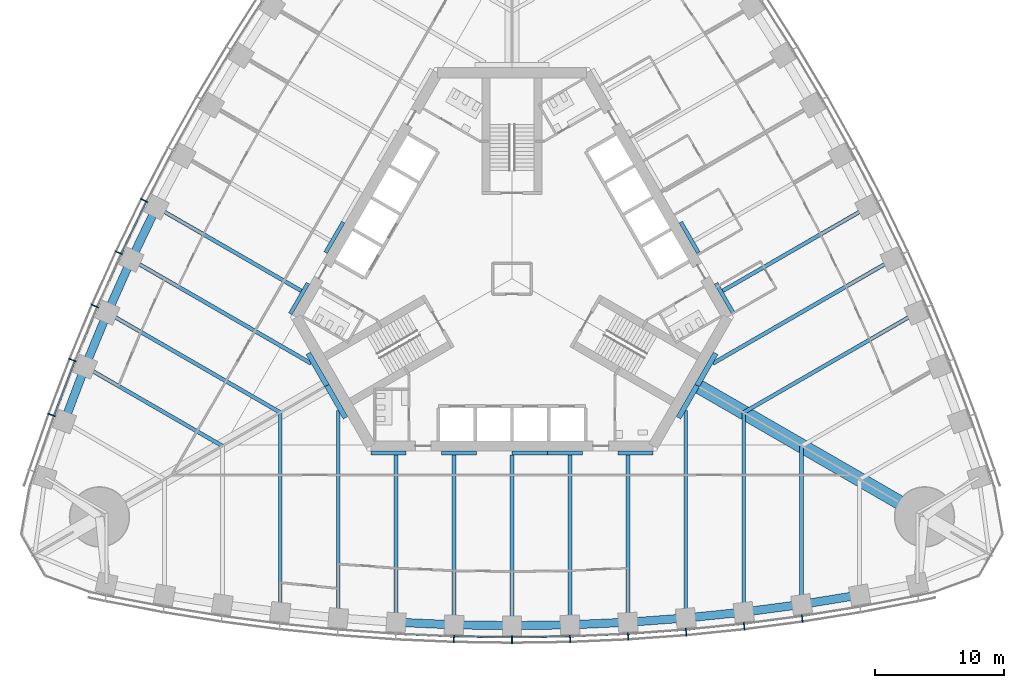
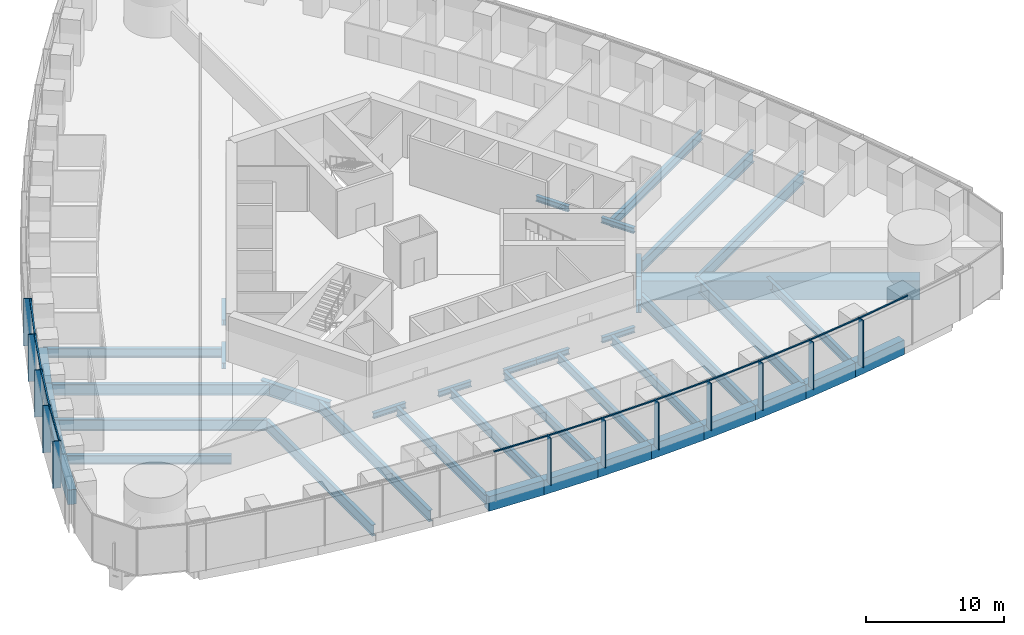
# One storey, part 3 of 18: 43 beams, 24 members, 2 elements without a shape of their own.
"""IFC4 building model written with IfcOpenShell, lengths in metres."""

import ifcopenshell
import ifcopenshell.guid

model = None  # the IFC model being written
_history = None  # IfcOwnerHistory: only IFC2X3 demands one
_inside = {}  # id of a spatial element -> (the spatial element, [elements in it])
_under = {}  # id of a project, library or spatial element -> (it, [spatial elements below it])
_declared = {}  # id of a project -> (the project, [libraries it declares])
_typed = {}  # id of a type object -> (the type object, [elements of that type])
_made_of = {}  # id of a material, layer set ... -> (it, [elements and type objects made of it])


def new_model(schema):
    """Start an empty IFC model of exactly this schema.

    Asked for "IFC4X3", IfcOpenShell would pick the latest addendum, in which some entities
    have other attributes; the version numbers below select the first issue.
    IFC2X3 requires an IfcOwnerHistory on every rooted entity: one is made here for all.
    """
    global model, _history
    if schema == "IFC4X3":
        model = ifcopenshell.file(schema_version=(4, 3, 0, 0))
    else:
        model = ifcopenshell.file(schema=schema)
    _inside.clear()
    _under.clear()
    _declared.clear()
    _typed.clear()
    _made_of.clear()
    _history = None
    if model.schema == "IFC2X3":
        org = make("IfcOrganization", Name="unknown")
        user = make(
            "IfcPersonAndOrganization",
            ThePerson=make("IfcPerson", FamilyName="unknown"),
            TheOrganization=org,
        )
        app = make(
            "IfcApplication",
            ApplicationDeveloper=org,
            Version="unknown",
            ApplicationFullName="unknown",
            ApplicationIdentifier="unknown",
        )
        _history = make(
            "IfcOwnerHistory",
            OwningUser=user,
            OwningApplication=app,
            ChangeAction="ADDED",
            CreationDate=0,
        )
    return model


def make(cls, **values):
    """One entity of the class cls with the attributes given. An attribute that is None is left unset."""
    return model.create_entity(
        cls, **{name: value for name, value in values.items() if value is not None}
    )


def rooted(cls, **values):
    """An entity with a GlobalId (a new one), such as an element, a storey or a relation."""
    return make(cls, GlobalId=ifcopenshell.guid.new(), OwnerHistory=_history, **values)


def si_unit(unit_type, name, prefix=None):
    """IfcSIUnit, for example si_unit("LENGTHUNIT", "METRE", prefix="MILLI")."""
    return make("IfcSIUnit", UnitType=unit_type, Prefix=prefix, Name=name)


def assignment(units):
    """IfcUnitAssignment: the units of a project."""
    return None if units is None else make("IfcUnitAssignment", Units=units)


def point(xyz):
    """IfcCartesianPoint."""
    return None if xyz is None else make("IfcCartesianPoint", Coordinates=xyz)


def direction(xyz):
    """IfcDirection."""
    return None if xyz is None else make("IfcDirection", DirectionRatios=xyz)


def frame(location, z_axis=None, x_axis=None):
    """IfcAxis2Placement3D, a coordinate frame: its origin and axes. An axis left out is left unset."""
    return make(
        "IfcAxis2Placement3D",
        Location=point(location),
        Axis=direction(z_axis),
        RefDirection=direction(x_axis),
    )


def frame_2d(location, x_axis=None):
    """IfcAxis2Placement2D, a coordinate frame in the plane: its origin and x axis."""
    return make(
        "IfcAxis2Placement2D", Location=point(location), RefDirection=direction(x_axis)
    )


def origin():
    """The frame at (0, 0, 0) with its axes left unset."""
    return frame((0.0, 0.0, 0.0))


def origin_2d():
    """The frame at (0, 0) in the plane with its x axis left unset."""
    return frame_2d((0.0, 0.0))


def place(relative_to, where):
    """IfcLocalPlacement: puts the frame where relative to a parent placement (None: the world)."""
    return make(
        "IfcLocalPlacement", PlacementRelTo=relative_to, RelativePlacement=where
    )


def context(
    kind, dimensions, precision=None, world=None, true_north=None, identifier=None
):
    """IfcGeometricRepresentationContext, for example the 3D "Model" context."""
    return make(
        "IfcGeometricRepresentationContext",
        ContextIdentifier=identifier,
        ContextType=kind,
        CoordinateSpaceDimension=dimensions,
        Precision=precision,
        WorldCoordinateSystem=world,
        TrueNorth=true_north,
    )


def subcontext(parent, identifier, kind, view, scale=None):
    """IfcGeometricRepresentationSubContext, for example "Body" below "Model"."""
    return make(
        "IfcGeometricRepresentationSubContext",
        ContextIdentifier=identifier,
        ContextType=kind,
        ParentContext=parent,
        TargetScale=scale,
        TargetView=view,
    )


def project(units=None, contexts=None):
    """IfcProject with its units and contexts."""
    return rooted(
        "IfcProject",
        Name="project",
        RepresentationContexts=contexts,
        UnitsInContext=assignment(units),
    )


def spatial(cls, under=None, at=None, **own):
    """A site, building, storey or space (cls), placed at a placement, below another one or the project."""
    s = rooted(cls, ObjectPlacement=at, **own)
    if under is not None:
        _under.setdefault(under.id(), (under, []))[1].append(s)
    return s


def profile(cls, at=None, kind="AREA", **sizes):
    """A parametric profile (cls). Its sizes go by their IFC names, for example OverallWidth=200.0."""
    return make(cls, ProfileType=kind, Position=at, **sizes)


def rectangle(**sizes):
    """IfcRectangleProfileDef."""
    return profile("IfcRectangleProfileDef", **sizes)


def i_section(**sizes):
    """IfcIShapeProfileDef."""
    return profile("IfcIShapeProfileDef", **sizes)


def extrude(swept, where, along, depth):
    """IfcExtrudedAreaSolid: the profile swept, set in the frame where, extruded along a direction by depth."""
    return make(
        "IfcExtrudedAreaSolid",
        SweptArea=swept,
        Position=where,
        ExtrudedDirection=direction(along),
        Depth=depth,
    )


def shape(context_of_items, identifier, shape_type, items):
    """IfcShapeRepresentation: the items that make up one representation, for example the "Body"."""
    return make(
        "IfcShapeRepresentation",
        ContextOfItems=context_of_items,
        RepresentationIdentifier=identifier,
        RepresentationType=shape_type,
        Items=items,
    )


def material(Name=None, Category=None):
    """IfcMaterial."""
    return make("IfcMaterial", Name=Name, Category=Category)


def material_profile(
    of_material, cross_section, Name=None, Category=None, Priority=None
):
    """IfcMaterialProfile: a cross section and its material."""
    return make(
        "IfcMaterialProfile",
        Name=Name,
        Material=of_material,
        Profile=cross_section,
        Priority=Priority,
        Category=Category,
    )


def profile_set(profiles, Name=None, composite=None):
    """IfcMaterialProfileSet."""
    return make(
        "IfcMaterialProfileSet",
        Name=Name,
        MaterialProfiles=profiles,
        CompositeProfile=composite,
    )


def made_of(thing, what):
    """Note that an element or type object is made of a material, layer set ...; save() writes the relation."""
    if what is not None:
        _made_of.setdefault(what.id(), (what, []))[1].append(thing)
    return thing


def type_object(cls, material=None, **own):
    """A type object (cls), such as IfcWallType, which elements share."""
    return made_of(rooted(cls, **own), material)


def element(
    cls,
    number,
    at=None,
    inside=None,
    cuts=None,
    type_object=None,
    material=None,
    context=None,
    identifier="Body",
    shape_type=None,
    held_by="IfcProductDefinitionShape",
    body=None,
    shapes=None,
    **own,
):
    """One element of the class cls, such as IfcWall. Its Tag is "e" and its number.

    at: its placement. inside: the storey or other place that contains it. cuts: it is an
    opening in that element (IfcRelVoidsElement). A single representation is given by context,
    identifier, shape_type and body (its items); several are given by shapes. held_by: the class
    of the entity that holds the representations. save() writes the other relations.
    """
    e = rooted(cls, Tag="e%d" % number, ObjectPlacement=at, **own)
    if body is not None:
        shapes = [shape(context, identifier, shape_type, body)]
    if shapes is not None:
        e.Representation = make(held_by, Representations=shapes)
    if inside is not None:
        _inside.setdefault(inside.id(), (inside, []))[1].append(e)
    if cuts is not None:
        rooted(
            "IfcRelVoidsElement", RelatingBuildingElement=cuts, RelatedOpeningElement=e
        )
    if type_object is not None:
        _typed.setdefault(type_object.id(), (type_object, []))[1].append(e)
    return made_of(e, material)


def aggregate(whole, parts):
    """IfcRelAggregates: a whole, such as a stair, and the parts it consists of."""
    return rooted("IfcRelAggregates", RelatingObject=whole, RelatedObjects=parts)


def save(model, path):
    """Write the relations noted so far, then the file.

    IfcRelAggregates (storeys below a building ...), IfcRelContainedInSpatialStructure (elements
    in a storey), IfcRelDefinesByType, IfcRelAssociatesMaterial and IfcRelDeclares: one each for
    every whole, place, type object, material and project.
    """
    for whole, parts in _under.values():
        aggregate(whole, parts)
    for where, things in _inside.values():
        rooted(
            "IfcRelContainedInSpatialStructure",
            RelatedElements=things,
            RelatingStructure=where,
        )
    for kind, things in _typed.values():
        rooted("IfcRelDefinesByType", RelatedObjects=things, RelatingType=kind)
    for what, things in _made_of.values():
        rooted("IfcRelAssociatesMaterial", RelatedObjects=things, RelatingMaterial=what)
    for by, libraries in _declared.values():
        rooted("IfcRelDeclares", RelatingContext=by, RelatedDefinitions=libraries)
    model.write(path)


model = new_model("IFC4")

# Units and contexts
model_context = context("Model", 3, precision=1e-05, world=origin(), true_north=direction((0.0, 1.0)))
body_context = subcontext(model_context, "Body", "Model", "MODEL_VIEW")
ifc_project = project(units=[si_unit("LENGTHUNIT", "METRE"), si_unit("AREAUNIT", "SQUARE_METRE"), si_unit("VOLUMEUNIT", "CUBIC_METRE"), si_unit("PLANEANGLEUNIT", "RADIAN"), si_unit("MASSUNIT", "GRAM", prefix="KILO")], contexts=[model_context])

# Site, building, storey
site_placement = place(None, origin())
site = spatial("IfcSite", under=ifc_project, at=site_placement, CompositionType="ELEMENT")
building_placement = place(site_placement, origin())
building = spatial("IfcBuilding", under=site, at=building_placement, Name="Trefoil Bronze Tower", CompositionType="ELEMENT")
storey_placement = place(building_placement, frame((0.0, 0.0, 54.300048828125)))
storey = spatial("IfcBuildingStorey", under=building, at=storey_placement, Name="L12", CompositionType="ELEMENT", Elevation=54.300048828125)

# Curtain wall, members
ifc_material_1 = material(Name="Tinted solar-control glass", Category="glass")
curtain_wall_type = type_object("IfcCurtainWallType", Name="Bronze office curtain wall", PredefinedType="USERDEFINED", material=ifc_material_1)
curtain_wall_1_placement = place(storey_placement, origin())
curtain_wall_1 = element("IfcCurtainWall", 1, at=curtain_wall_1_placement, inside=storey, type_object=curtain_wall_type, Name="CW-A L12 F1", ObjectType="CURTAIN WALL", PredefinedType="USERDEFINED")
ifc_material_2 = material(Name="Bronze-finish aluminium", Category="aluminium")
ifc_material_profile_1 = material_profile(ifc_material_2, rectangle(XDim=0.60009765625, YDim=0.080078125, at=origin_2d()), Name="CW-A mullion")
ifc_profile_set_1 = profile_set([ifc_material_profile_1], Name="Bronze-finish aluminium")
member_type_1 = type_object("IfcMemberType", Name="Bronze office curtain wall mullion", PredefinedType="MULLION", material=ifc_profile_set_1)
member_1_placement = place(storey_placement, frame((-4.5087890625, -27.9833984375, 0.0), z_axis=(0.0, 0.0, 1.0), x_axis=(0.029021671584, 0.999578782577, 0.0)))
member_1 = element("IfcMember", 2, at=member_1_placement, type_object=member_type_1, Name="CW-A L12 F1 mullion 8", PredefinedType="MULLION", context=body_context, shape_type="SweptSolid", body=[
    extrude(rectangle(XDim=0.60009765625, YDim=0.080078125, at=origin_2d()), origin(), (0.0, 0.0, 1.0), 4.179931640625),
])
member_2_placement = place(storey_placement, frame((0.0, -28.048828125, 0.0), z_axis=(0.0, 0.0, 1.0), x_axis=(0.0, 1.0, 0.0)))
member_2 = element("IfcMember", 3, at=member_2_placement, type_object=member_type_1, Name="CW-A L12 F1 mullion 9", PredefinedType="MULLION", context=body_context, shape_type="SweptSolid", body=[
    extrude(rectangle(XDim=0.60009765625, YDim=0.080078125, at=origin_2d()), origin(), (0.0, 0.0, 1.0), 4.179931640625),
])
member_3_placement = place(storey_placement, frame((4.5087890625, -27.9833984375, 0.0), z_axis=(0.0, 0.0, 1.0), x_axis=(-0.029021671584, 0.999578782577, 0.0)))
member_3 = element("IfcMember", 4, at=member_3_placement, type_object=member_type_1, Name="CW-A L12 F1 mullion 10", PredefinedType="MULLION", context=body_context, shape_type="SweptSolid", body=[
    extrude(rectangle(XDim=0.60009765625, YDim=0.080078125, at=origin_2d()), origin(), (0.0, 0.0, 1.0), 4.179931640625),
])
member_4_placement = place(storey_placement, frame((9.017333984375, -27.786865234375, 0.0), z_axis=(0.0, 0.0, 1.0), x_axis=(-0.058043374207, 0.998314062162, 0.0)))
member_4 = element("IfcMember", 5, at=member_4_placement, type_object=member_type_1, Name="CW-A L12 F1 mullion 11", PredefinedType="MULLION", context=body_context, shape_type="SweptSolid", body=[
    extrude(rectangle(XDim=0.60009765625, YDim=0.080078125, at=origin_2d()), origin(), (0.0, 0.0, 1.0), 4.179931640625),
])
member_5_placement = place(storey_placement, frame((13.526123046875, -27.458984375, 0.0), z_axis=(0.0, 0.0, 1.0), x_axis=(-0.087065139456, 0.996202620701, 0.0)))
member_5 = element("IfcMember", 6, at=member_5_placement, type_object=member_type_1, Name="CW-A L12 F1 mullion 12", PredefinedType="MULLION", context=body_context, shape_type="SweptSolid", body=[
    extrude(rectangle(XDim=0.60009765625, YDim=0.080078125, at=origin_2d()), origin(), (0.0, 0.0, 1.0), 4.179931640625),
])
member_6_placement = place(storey_placement, frame((18.034912109375, -26.99853515625, 0.0), z_axis=(0.0, 0.0, 1.0), x_axis=(-0.116086999973, 0.993239048989, 0.0)))
member_6 = element("IfcMember", 7, at=member_6_placement, type_object=member_type_1, Name="CW-A L12 F1 mullion 13", PredefinedType="MULLION", context=body_context, shape_type="SweptSolid", body=[
    extrude(rectangle(XDim=0.60009765625, YDim=0.080078125, at=origin_2d()), origin(), (0.0, 0.0, 1.0), 4.179931640625),
])
member_7_placement = place(storey_placement, frame((22.54345703125, -26.40478515625, 0.0), z_axis=(0.0, 0.0, 1.0), x_axis=(-0.145108990094, 0.989415676546, 0.0)))
member_7 = element("IfcMember", 8, at=member_7_placement, type_object=member_type_1, Name="CW-A L12 F1 mullion 14", PredefinedType="MULLION", context=body_context, shape_type="SweptSolid", body=[
    extrude(rectangle(XDim=0.60009765625, YDim=0.080078125, at=origin_2d()), origin(), (0.0, 0.0, 1.0), 4.179931640625),
])

curtain_wall_2_placement = place(storey_placement, origin())
curtain_wall_2 = element("IfcCurtainWall", 9, at=curtain_wall_2_placement, inside=storey, type_object=curtain_wall_type, Name="CW-A L12 F3", ObjectType="CURTAIN WALL", PredefinedType="USERDEFINED")
member_8_placement = place(storey_placement, frame((-28.57275390625, 6.084228515625, 0.0), z_axis=(0.0, 0.0, 1.0), x_axis=(0.893587025891, -0.448889994497, 0.0)))
member_8 = element("IfcMember", 10, at=member_8_placement, type_object=member_type_1, Name="CW-A L12 F3 mullion 11", PredefinedType="MULLION", context=body_context, shape_type="SweptSolid", body=[
    extrude(rectangle(XDim=0.60009765625, YDim=0.080078125, at=origin_2d()), origin(), (0.0, 0.0, 1.0), 4.179931640625),
])
member_9_placement = place(storey_placement, frame((-30.543212890625, 2.015380859375, 0.0), z_axis=(0.0, 0.0, 1.0), x_axis=(0.906269346572, -0.422700687798, 0.0)))
member_9 = element("IfcMember", 11, at=member_9_placement, type_object=member_type_1, Name="CW-A L12 F3 mullion 12", PredefinedType="MULLION", context=body_context, shape_type="SweptSolid", body=[
    extrude(rectangle(XDim=0.60009765625, YDim=0.080078125, at=origin_2d()), origin(), (0.0, 0.0, 1.0), 4.179931640625),
])
member_10_placement = place(storey_placement, frame((-32.39892578125, -2.119384765625, 0.0), z_axis=(0.0, 0.0, 1.0), x_axis=(0.918213748442, -0.396085233469, 0.0)))
member_10 = element("IfcMember", 12, at=member_10_placement, type_object=member_type_1, Name="CW-A L12 F3 mullion 13", PredefinedType="MULLION", context=body_context, shape_type="SweptSolid", body=[
    extrude(rectangle(XDim=0.60009765625, YDim=0.080078125, at=origin_2d()), origin(), (0.0, 0.0, 1.0), 4.179931640625),
])
member_11_placement = place(storey_placement, frame((-34.138916015625, -6.32080078125, 0.0), z_axis=(0.0, 0.0, 1.0), x_axis=(0.929413605838, -0.369039766534, 0.0)))
member_11 = element("IfcMember", 13, at=member_11_placement, type_object=member_type_1, Name="CW-A L12 F3 mullion 14", PredefinedType="MULLION", context=body_context, shape_type="SweptSolid", body=[
    extrude(rectangle(XDim=0.60009765625, YDim=0.080078125, at=origin_2d()), origin(), (0.0, 0.0, 1.0), 4.179931640625),
])
member_12_placement = place(storey_placement, frame((-35.761962890625, -10.590087890625, 0.0), z_axis=(0.0, 0.0, 1.0), x_axis=(0.939860248316, -0.341559238839, 0.0)))
member_12 = element("IfcMember", 14, at=member_12_placement, type_object=member_type_1, Name="CW-A L12 F3 mullion 15", PredefinedType="MULLION", context=body_context, shape_type="SweptSolid", body=[
    extrude(rectangle(XDim=0.60009765625, YDim=0.080078125, at=origin_2d()), origin(), (0.0, 0.0, 1.0), 4.179931640625),
])

# Member
ifc_material_3 = material(Name="Bronze-finish aluminium", Category="aluminium")
ifc_material_profile_2 = material_profile(ifc_material_3, rectangle(XDim=0.1201171875, YDim=0.10009765625, at=origin_2d()), Name="CW-A transom")
ifc_profile_set_2 = profile_set([ifc_material_profile_2], Name="Bronze-finish aluminium")
member_type_2 = type_object("IfcMemberType", Name="Bronze office curtain wall transom", PredefinedType="USERDEFINED", material=ifc_profile_set_2)
member_13_placement = place(storey_placement, frame((-8.96435546875, -27.589111328125, 4.1298828125), z_axis=(0.999054074786, -0.043485119914, 0.0), x_axis=(0.043485119914, 0.999054074786, 0.0)))
member_13 = element("IfcMember", 15, at=member_13_placement, type_object=member_type_2, Name="CW-A L12 F1 transom 7", ObjectType="TRANSOM", PredefinedType="USERDEFINED", context=body_context, shape_type="SweptSolid", body=[
    extrude(rectangle(XDim=0.1201171875, YDim=0.10009765625, at=origin_2d()), origin(), (0.0, 0.0, 1.0), 4.424072265625),
])

member_14_placement = place(storey_placement, frame((-4.46142578125, -27.783935546875, 4.1298828125), z_axis=(0.999894497273, -0.014525643658, 0.0), x_axis=(0.014525643658, 0.999894497273, 0.0)))
member_14 = element("IfcMember", 16, at=member_14_placement, type_object=member_type_2, Name="CW-A L12 F1 transom 8", ObjectType="TRANSOM", PredefinedType="USERDEFINED", context=body_context, shape_type="SweptSolid", body=[
    extrude(rectangle(XDim=0.1201171875, YDim=0.10009765625, at=origin_2d()), origin(), (0.0, 0.0, 1.0), 4.42041015625),
])

member_15_placement = place(storey_placement, frame((0.04150390625, -27.84814453125, 4.1298828125), z_axis=(0.999894497273, 0.014525643658, 0.0), x_axis=(-0.014525643658, 0.999894497273, 0.0)))
member_15 = element("IfcMember", 17, at=member_15_placement, type_object=member_type_2, Name="CW-A L12 F1 transom 9", ObjectType="TRANSOM", PredefinedType="USERDEFINED", context=body_context, shape_type="SweptSolid", body=[
    extrude(rectangle(XDim=0.1201171875, YDim=0.10009765625, at=origin_2d()), origin(), (0.0, 0.0, 1.0), 4.42041015625),
])

member_16_placement = place(storey_placement, frame((4.54443359375, -27.781494140625, 4.1298828125), z_axis=(0.999054074786, 0.043485119914, 0.0), x_axis=(-0.043485119914, 0.999054074786, 0.0)))
member_16 = element("IfcMember", 18, at=member_16_placement, type_object=member_type_2, Name="CW-A L12 F1 transom 10", ObjectType="TRANSOM", PredefinedType="USERDEFINED", context=body_context, shape_type="SweptSolid", body=[
    extrude(rectangle(XDim=0.1201171875, YDim=0.10009765625, at=origin_2d()), origin(), (0.0, 0.0, 1.0), 4.424072265625),
])

member_17_placement = place(storey_placement, frame((9.047119140625, -27.584228515625, 4.1298828125), z_axis=(0.997364729945, 0.07255064067, 0.0), x_axis=(-0.07255064067, 0.997364729945, 0.0)))
member_17 = element("IfcMember", 19, at=member_17_placement, type_object=member_type_2, Name="CW-A L12 F1 transom 11", ObjectType="TRANSOM", PredefinedType="USERDEFINED", context=body_context, shape_type="SweptSolid", body=[
    extrude(rectangle(XDim=0.1201171875, YDim=0.10009765625, at=origin_2d()), origin(), (0.0, 0.0, 1.0), 4.431884765625),
])

member_18_placement = place(storey_placement, frame((13.550048828125, -27.25537109375, 4.1298828125), z_axis=(0.994831650915, 0.101538102888, 0.0), x_axis=(-0.101538102888, 0.994831650915, 0.0)))
member_18 = element("IfcMember", 20, at=member_18_placement, type_object=member_type_2, Name="CW-A L12 F1 transom 12", ObjectType="TRANSOM", PredefinedType="USERDEFINED", context=body_context, shape_type="SweptSolid", body=[
    extrude(rectangle(XDim=0.1201171875, YDim=0.10009765625, at=origin_2d()), origin(), (0.0, 0.0, 1.0), 4.443359375),
])

member_19_placement = place(storey_placement, frame((18.052734375, -26.79443359375, 4.1298828125), z_axis=(0.991436581643, 0.13058906761, 0.0), x_axis=(-0.13058906761, 0.991436581643, 0.0)))
member_19 = element("IfcMember", 21, at=member_19_placement, type_object=member_type_2, Name="CW-A L12 F1 transom 13", ObjectType="TRANSOM", PredefinedType="USERDEFINED", context=body_context, shape_type="SweptSolid", body=[
    extrude(rectangle(XDim=0.1201171875, YDim=0.10009765625, at=origin_2d()), origin(), (0.0, 0.0, 1.0), 4.458740234375),
])

member_20_placement = place(storey_placement, frame((22.555419921875, -26.2001953125, 4.1298828125), z_axis=(0.987179401487, 0.159614627398, 0.0), x_axis=(-0.159614627398, 0.987179401487, 0.0)))
member_20 = element("IfcMember", 22, at=member_20_placement, type_object=member_type_2, Name="CW-A L12 F1 transom 14", ObjectType="TRANSOM", PredefinedType="USERDEFINED", context=body_context, shape_type="SweptSolid", body=[
    extrude(rectangle(XDim=0.1201171875, YDim=0.10009765625, at=origin_2d()), origin(), (0.0, 0.0, 1.0), 4.478515625),
])

aggregate(curtain_wall_1, [member_1, member_2, member_3, member_4, member_5, member_6, member_7, member_13, member_14, member_15, member_16, member_17, member_18, member_19, member_20])

member_21_placement = place(storey_placement, frame((-28.412109375, 5.95703125, 4.1298828125), z_axis=(-0.435851763293, -0.900018466719, 0.0), x_axis=(0.900018466719, -0.435851763293, 0.0)))
member_21 = element("IfcMember", 23, at=member_21_placement, type_object=member_type_2, Name="CW-A L12 F3 transom 11", ObjectType="TRANSOM", PredefinedType="USERDEFINED", context=body_context, shape_type="SweptSolid", body=[
    extrude(rectangle(XDim=0.1201171875, YDim=0.10009765625, at=origin_2d()), origin(), (0.0, 0.0, 1.0), 4.431884765625),
])

member_22_placement = place(storey_placement, frame((-30.37890625, 1.89306640625, 4.1298828125), z_axis=(-0.409459746452, -0.912328184392, 0.0), x_axis=(0.912328184392, -0.409459746452, 0.0)))
member_22 = element("IfcMember", 24, at=member_22_placement, type_object=member_type_2, Name="CW-A L12 F3 transom 12", ObjectType="TRANSOM", PredefinedType="USERDEFINED", context=body_context, shape_type="SweptSolid", body=[
    extrude(rectangle(XDim=0.1201171875, YDim=0.10009765625, at=origin_2d()), origin(), (0.0, 0.0, 1.0), 4.443359375),
])

member_23_placement = place(storey_placement, frame((-32.231201171875, -2.23681640625, 4.1298828125), z_axis=(-0.382616149417, -0.923907399151, 0.0), x_axis=(0.923907399151, -0.382616149417, 0.0)))
member_23 = element("IfcMember", 25, at=member_23_placement, type_object=member_type_2, Name="CW-A L12 F3 transom 13", ObjectType="TRANSOM", PredefinedType="USERDEFINED", context=body_context, shape_type="SweptSolid", body=[
    extrude(rectangle(XDim=0.1201171875, YDim=0.10009765625, at=origin_2d()), origin(), (0.0, 0.0, 1.0), 4.458984375),
])

member_24_placement = place(storey_placement, frame((-33.9677734375, -6.433349609375, 4.1298828125), z_axis=(-0.355367327392, -0.934726731522, 0.0), x_axis=(0.934726731522, -0.355367327392, 0.0)))
member_24 = element("IfcMember", 26, at=member_24_placement, type_object=member_type_2, Name="CW-A L12 F3 transom 14", ObjectType="TRANSOM", PredefinedType="USERDEFINED", context=body_context, shape_type="SweptSolid", body=[
    extrude(rectangle(XDim=0.1201171875, YDim=0.10009765625, at=origin_2d()), origin(), (0.0, 0.0, 1.0), 4.478515625),
])

aggregate(curtain_wall_2, [member_8, member_9, member_10, member_11, member_12, member_21, member_22, member_23, member_24])

# Beams
ifc_material_4 = material(Name="Steel C355", Category="steel")
ifc_material_profile_3 = material_profile(ifc_material_4, i_section(OverallWidth=0.300048828125, OverallDepth=0.5, WebThickness=0.014404296875, FlangeThickness=0.028076171875, FilletRadius=0.027099609375, at=origin_2d()), Name="HEB 500")
ifc_profile_set_3 = profile_set([ifc_material_profile_3], Name="Steel C355")
beam_type_1 = type_object("IfcBeamType", Name="Core seat beam HEB 500", PredefinedType="BEAM", material=ifc_profile_set_3)
for number, where, z_axis, x_axis, name in (
    (27, (-10.9697265625, -13.550048828125, -0.449951171875), (1.0, 0.0, 0.0), (0.0, 1.0, 0.0), "Core seat beam F1/-2 L12"),
    (28, (-5.48486328125, -13.550048828125, -0.449951171875), (1.0, 0.0, 0.0), (0.0, 1.0, 0.0), "Core seat beam F1/-1 L12"),
    (29, (0.0, -13.550048828125, -0.449951171875), (1.0, 0.0, 0.0), (0.0, 1.0, 0.0), "Core seat beam F1/+0 L12"),
    (30, (2.742431640625, -13.550048828125, -0.449951171875), (1.0, 0.0, 0.0), (0.0, 1.0, 0.0), "Core seat beam F1/+1 L12"),
    (31, (8.227294921875, -13.550048828125, -0.449951171875), (1.0, 0.0, 0.0), (0.0, 1.0, 0.0), "Core seat beam F1/+2 L12"),
    (32, (17.219482421875, -2.72509765625, -0.449951171875), (-0.500035825175, 0.866004719122, 0.0), (-0.866004719122, -0.500035825175, 0.0), "Core seat beam F2/-2 L12"),
    (33, (14.47705078125, 2.02490234375, -0.449951171875), (-0.499969057507, 0.866043267704, 0.0), (-0.866043267704, -0.499969057507, 0.0), "Core seat beam F2/-1 L12"),
    (34, (-13.10595703125, 4.39990234375, -0.449951171875), (-0.499969057507, -0.866043267704, 0.0), (0.866043267704, -0.499969057507, 0.0), "Core seat beam F3/+1 L12"),
    (35, (-15.84814453125, -0.35009765625, -0.449951171875), (-0.500035825175, -0.866004719122, 0.0), (0.866004719122, -0.500035825175, 0.0), "Core seat beam F3/+2 L12"),
):
    element("IfcBeam", number, at=place(storey_placement, frame(where, z_axis=z_axis, x_axis=x_axis)), inside=storey, type_object=beam_type_1, Name=name, PredefinedType="BEAM", context=body_context, shape_type="SweptSolid", body=[
        extrude(i_section(OverallWidth=0.300048828125, OverallDepth=0.5, WebThickness=0.014404296875, FlangeThickness=0.028076171875, FilletRadius=0.027099609375, at=origin_2d()), origin(), (0.0, 0.0, 1.0), 2.742431640625),
    ])
ifc_material_5 = material(Name="Steel C355", Category="steel")
ifc_material_profile_4 = material_profile(ifc_material_5, i_section(OverallWidth=0.39990234375, OverallDepth=1.199951171875, WebThickness=0.02001953125, FlangeThickness=0.0400390625, FilletRadius=0.010009765625, at=origin_2d()), Name="WPG 1200")
ifc_profile_set_4 = profile_set([ifc_material_profile_4], Name="Steel C355")
beam_type_2 = type_object("IfcBeamType", Name="Core seat beam WPG 1200", PredefinedType="BEAM", material=ifc_profile_set_4)
for number, where, z_axis, x_axis, name in (
    (36, (-14.3759765625, -8.300048828125, -0.800048828125), (0.499995765644, -0.866027848477, 0.0), (0.866027848477, 0.499995765644, 0.0), "Core seat beam F1/-3 L12"),
    (37, (12.9326171875, -10.800048828125, -0.800048828125), (0.499995765644, 0.866027848477, 0.0), (-0.866027848477, 0.499995765644, 0.0), "Core seat beam F1/+3 L12"),
    (38, (14.3759765625, -8.300048828125, -0.800048828125), (0.499995765644, 0.866027848477, 0.0), (-0.866027848477, 0.499995765644, 0.0), "Core seat beam F2/-3 L12"),
    (39, (-15.8193359375, -5.800048828125, -0.800048828125), (0.499995765644, -0.866027848477, 0.0), (0.866027848477, 0.499995765644, 0.0), "Core seat beam F3/+3 L12"),
):
    element("IfcBeam", number, at=place(storey_placement, frame(where, z_axis=z_axis, x_axis=x_axis)), inside=storey, type_object=beam_type_2, Name=name, PredefinedType="BEAM", context=body_context, shape_type="SweptSolid", body=[
        extrude(i_section(OverallWidth=0.39990234375, OverallDepth=1.199951171875, WebThickness=0.02001953125, FlangeThickness=0.0400390625, FilletRadius=0.010009765625, at=origin_2d()), origin(), (0.0, 0.0, 1.0), 2.88671875),
    ])
ifc_material_6 = material(Name="Concrete B80", Category="concrete")
ifc_material_profile_5 = material_profile(ifc_material_6, rectangle(XDim=1.10009765625, YDim=1.699951171875, at=origin_2d()), Name="RC 1100x1700")
ifc_profile_set_5 = profile_set([ifc_material_profile_5], Name="Concrete B80")
beam_type_3 = type_object("IfcBeamType", Name="Corner girder RC 1100x1700", PredefinedType="BEAM", material=ifc_profile_set_5)
beam_1_placement = place(storey_placement, frame((14.202880859375, -8.199951171875, -1.050048828125), z_axis=(0.866023947468, -0.500002522405, 0.0), x_axis=(0.500002522405, 0.866023947468, 0.0)))
element("IfcBeam", 40, at=beam_1_placement, inside=storey, type_object=beam_type_3, Name="Corner girder K1 L12", PredefinedType="BEAM", context=body_context, shape_type="SweptSolid", body=[
    extrude(rectangle(XDim=1.10009765625, YDim=1.699951171875, at=origin_2d()), origin(), (0.0, 0.0, 1.0), 20.60009765625),
])
ifc_material_7 = material(Name="Steel C355", Category="steel")
ifc_material_profile_6 = material_profile(ifc_material_7, i_section(OverallWidth=0.300048828125, OverallDepth=1.0, WebThickness=0.01904296875, FlangeThickness=0.035888671875, FilletRadius=0.030029296875, at=origin_2d()), Name="HEB 1000")
ifc_profile_set_6 = profile_set([ifc_material_profile_6], Name="Steel C355")
beam_type_4 = type_object("IfcBeamType", Name="Floor beam HEB 1000", PredefinedType="BEAM", material=ifc_profile_set_6)
for number, where, z_axis, x_axis, name in (
    (41, (-18.0, -25.895263671875, -0.699951171875), (0.0, 1.0, 0.0), (-1.0, 0.0, 0.0), "Floor beam F1/-4 L12"),
    (42, (18.0, -25.895263671875, -0.699951171875), (0.0, 1.0, 0.0), (-1.0, 0.0, 0.0), "Floor beam F1/+4 L12"),
):
    element("IfcBeam", number, at=place(storey_placement, frame(where, z_axis=z_axis, x_axis=x_axis)), inside=storey, type_object=beam_type_4, Name=name, PredefinedType="BEAM", context=body_context, shape_type="SweptSolid", body=[
        extrude(i_section(OverallWidth=0.300048828125, OverallDepth=1.0, WebThickness=0.01904296875, FlangeThickness=0.035888671875, FilletRadius=0.030029296875, at=origin_2d()), origin(), (0.0, 0.0, 1.0), 15.5029296875),
    ])
for number, where, z_axis, x_axis, name in (
    (43, (31.42578125, -2.640869140625, -0.699951171875), (-0.866022989816, -0.500004181093, 0.0), (0.500004181093, -0.866022989816, 0.0), "Floor beam F2/-4 L12"),
    (44, (-31.42578125, -2.640869140625, -0.699951171875), (0.866022989816, -0.500004181093, 0.0), (0.500004181093, 0.866022989816, 0.0), "Floor beam F3/+4 L12"),
):
    element("IfcBeam", number, at=place(storey_placement, frame(where, z_axis=z_axis, x_axis=x_axis)), inside=storey, type_object=beam_type_4, Name=name, PredefinedType="BEAM", context=body_context, shape_type="SweptSolid", body=[
        extrude(i_section(OverallWidth=0.300048828125, OverallDepth=1.0, WebThickness=0.01904296875, FlangeThickness=0.035888671875, FilletRadius=0.030029296875, at=origin_2d()), origin(), (0.0, 0.0, 1.0), 15.502685546875),
    ])
ifc_material_8 = material(Name="Steel C355", Category="steel")
ifc_material_profile_7 = material_profile(ifc_material_8, i_section(OverallWidth=0.300048828125, OverallDepth=0.800048828125, WebThickness=0.017578125, FlangeThickness=0.032958984375, FilletRadius=0.030029296875, at=origin_2d()), Name="HEB 800")
ifc_profile_set_7 = profile_set([ifc_material_profile_7], Name="Steel C355")
beam_type_5 = type_object("IfcBeamType", Name="Floor beam HEB 800", PredefinedType="BEAM", material=ifc_profile_set_7)
beam_2_placement = place(storey_placement, frame((-9.0, -26.68603515625, -0.60009765625), z_axis=(0.0, 1.0, 0.0), x_axis=(-1.0, 0.0, 0.0)))
element("IfcBeam", 45, at=beam_2_placement, inside=storey, type_object=beam_type_5, Name="Floor beam F1/-2 L12", PredefinedType="BEAM", context=body_context, shape_type="SweptSolid", body=[
    extrude(i_section(OverallWidth=0.300048828125, OverallDepth=0.800048828125, WebThickness=0.017578125, FlangeThickness=0.032958984375, FilletRadius=0.030029296875, at=origin_2d()), origin(), (0.0, 0.0, 1.0), 12.986083984375),
])
beam_3_placement = place(storey_placement, frame((-4.5, -26.883056640625, -0.60009765625), z_axis=(0.0, 1.0, 0.0), x_axis=(-1.0, 0.0, 0.0)))
element("IfcBeam", 46, at=beam_3_placement, inside=storey, type_object=beam_type_5, Name="Floor beam F1/-1 L12", PredefinedType="BEAM", context=body_context, shape_type="SweptSolid", body=[
    extrude(i_section(OverallWidth=0.300048828125, OverallDepth=0.800048828125, WebThickness=0.017578125, FlangeThickness=0.032958984375, FilletRadius=0.030029296875, at=origin_2d()), origin(), (0.0, 0.0, 1.0), 13.18310546875),
])
beam_4_placement = place(storey_placement, frame((0.0, -26.94873046875, -0.60009765625), z_axis=(0.0, 1.0, 0.0), x_axis=(-1.0, 0.0, 0.0)))
element("IfcBeam", 47, at=beam_4_placement, inside=storey, type_object=beam_type_5, Name="Floor beam F1/+0 L12", PredefinedType="BEAM", context=body_context, shape_type="SweptSolid", body=[
    extrude(i_section(OverallWidth=0.300048828125, OverallDepth=0.800048828125, WebThickness=0.017578125, FlangeThickness=0.032958984375, FilletRadius=0.030029296875, at=origin_2d()), origin(), (0.0, 0.0, 1.0), 13.248779296875),
])
beam_5_placement = place(storey_placement, frame((4.5, -26.883056640625, -0.60009765625), z_axis=(0.0, 1.0, 0.0), x_axis=(-1.0, 0.0, 0.0)))
element("IfcBeam", 48, at=beam_5_placement, inside=storey, type_object=beam_type_5, Name="Floor beam F1/+1 L12", PredefinedType="BEAM", context=body_context, shape_type="SweptSolid", body=[
    extrude(i_section(OverallWidth=0.300048828125, OverallDepth=0.800048828125, WebThickness=0.017578125, FlangeThickness=0.032958984375, FilletRadius=0.030029296875, at=origin_2d()), origin(), (0.0, 0.0, 1.0), 13.18310546875),
])
beam_6_placement = place(storey_placement, frame((9.0, -26.68603515625, -0.60009765625), z_axis=(0.0, 1.0, 0.0), x_axis=(-1.0, 0.0, 0.0)))
element("IfcBeam", 49, at=beam_6_placement, inside=storey, type_object=beam_type_5, Name="Floor beam F1/+2 L12", PredefinedType="BEAM", context=body_context, shape_type="SweptSolid", body=[
    extrude(i_section(OverallWidth=0.300048828125, OverallDepth=0.800048828125, WebThickness=0.017578125, FlangeThickness=0.032958984375, FilletRadius=0.030029296875, at=origin_2d()), origin(), (0.0, 0.0, 1.0), 12.986083984375),
])
beam_7_placement = place(storey_placement, frame((22.5, -25.29931640625, -0.60009765625), z_axis=(0.0, 1.0, 0.0), x_axis=(-1.0, 0.0, 0.0)))
element("IfcBeam", 50, at=beam_7_placement, inside=storey, type_object=beam_type_5, Name="Floor beam F1/+5 L12", PredefinedType="BEAM", context=body_context, shape_type="SweptSolid", body=[
    extrude(i_section(OverallWidth=0.300048828125, OverallDepth=0.800048828125, WebThickness=0.017578125, FlangeThickness=0.032958984375, FilletRadius=0.030029296875, at=origin_2d()), origin(), (0.0, 0.0, 1.0), 12.308837890625),
])
for number, where, z_axis, x_axis, name in (
    (51, (27.61083984375, 5.548828125, -0.60009765625), (-0.866022474361, -0.500005073876, 0.0), (0.500005073876, -0.866022474361, 0.0), "Floor beam F2/-2 L12"),
    (52, (-27.61083984375, 5.548828125, -0.60009765625), (0.866022474361, -0.500005073876, 0.0), (0.500005073876, 0.866022474361, 0.0), "Floor beam F3/+2 L12"),
):
    element("IfcBeam", number, at=place(storey_placement, frame(where, z_axis=z_axis, x_axis=x_axis)), inside=storey, type_object=beam_type_5, Name=name, PredefinedType="BEAM", context=body_context, shape_type="SweptSolid", body=[
        extrude(i_section(OverallWidth=0.300048828125, OverallDepth=0.800048828125, WebThickness=0.017578125, FlangeThickness=0.032958984375, FilletRadius=0.030029296875, at=origin_2d()), origin(), (0.0, 0.0, 1.0), 12.986083984375),
    ])
beam_8_placement = place(storey_placement, frame((-33.159912109375, -6.8359375, -0.60009765625), z_axis=(0.866024070878, -0.500002308654, 0.0), x_axis=(0.500002308654, 0.866024070878, 0.0)))
element("IfcBeam", 53, at=beam_8_placement, inside=storey, type_object=beam_type_5, Name="Floor beam F3/+5 L12", PredefinedType="BEAM", context=body_context, shape_type="SweptSolid", body=[
    extrude(i_section(OverallWidth=0.300048828125, OverallDepth=0.800048828125, WebThickness=0.017578125, FlangeThickness=0.032958984375, FilletRadius=0.030029296875, at=origin_2d()), origin(), (0.0, 0.0, 1.0), 12.30908203125),
])
ifc_material_9 = material(Name="Steel C355", Category="steel")
ifc_material_profile_8 = material_profile(ifc_material_9, i_section(OverallWidth=0.302001953125, OverallDepth=1.008056640625, WebThickness=0.02099609375, FlangeThickness=0.0400390625, FilletRadius=0.030029296875, at=origin_2d()), Name="HEM 1000")
ifc_profile_set_8 = profile_set([ifc_material_profile_8], Name="Steel C355")
beam_type_6 = type_object("IfcBeamType", Name="Floor beam HEM 1000", PredefinedType="BEAM", material=ifc_profile_set_8)
for number, where, z_axis, x_axis, name in (
    (54, (-13.5, -26.35693359375, -0.7041015625), (0.0, 1.0, 0.0), (-1.0, 0.0, 0.0), "Floor beam F1/-3 L12"),
    (55, (13.5, -26.35693359375, -0.7041015625), (0.0, 1.0, 0.0), (-1.0, 0.0, 0.0), "Floor beam F1/+3 L12"),
):
    element("IfcBeam", number, at=place(storey_placement, frame(where, z_axis=z_axis, x_axis=x_axis)), inside=storey, type_object=beam_type_6, Name=name, PredefinedType="BEAM", context=body_context, shape_type="SweptSolid", body=[
        extrude(i_section(OverallWidth=0.302001953125, OverallDepth=1.008056640625, WebThickness=0.02099609375, FlangeThickness=0.0400390625, FilletRadius=0.030029296875, at=origin_2d()), origin(), (0.0, 0.0, 1.0), 16.1396484375),
    ])
for number, where, z_axis, x_axis, name in (
    (56, (29.575927734375, 1.487060546875, -0.7041015625), (-0.866028401131, -0.499994808408, 0.0), (0.499994808408, -0.866028401131, 0.0), "Floor beam F2/-3 L12"),
    (57, (-29.575927734375, 1.487060546875, -0.7041015625), (0.866028401131, -0.499994808408, 0.0), (0.499994808408, 0.866028401131, 0.0), "Floor beam F3/+3 L12"),
):
    element("IfcBeam", number, at=place(storey_placement, frame(where, z_axis=z_axis, x_axis=x_axis)), inside=storey, type_object=beam_type_6, Name=name, PredefinedType="BEAM", context=body_context, shape_type="SweptSolid", body=[
        extrude(i_section(OverallWidth=0.302001953125, OverallDepth=1.008056640625, WebThickness=0.02099609375, FlangeThickness=0.0400390625, FilletRadius=0.030029296875, at=origin_2d()), origin(), (0.0, 0.0, 1.0), 16.139892578125),
    ])
ifc_material_10 = material(Name="Concrete B80", Category="concrete")
ifc_material_profile_9 = material_profile(ifc_material_10, rectangle(XDim=0.64990234375, YDim=1.300048828125, at=origin_2d()), Name="RC 650x1300")
ifc_profile_set_9 = profile_set([ifc_material_profile_9], Name="Concrete B80")
beam_type_7 = type_object("IfcBeamType", Name="Spandrel beam RC 650x1300", PredefinedType="SPANDREL", material=ifc_profile_set_9)
beam_9_placement = place(storey_placement, frame((-9.0, -26.68603515625, -0.85009765625), z_axis=(0.999042919826, -0.043740648671, 0.0), x_axis=(0.043740648671, 0.999042919826, 0.0)))
element("IfcBeam", 58, at=beam_9_placement, inside=storey, type_object=beam_type_7, Name="Spandrel F1.7 L12", PredefinedType="SPANDREL", context=body_context, shape_type="SweptSolid", body=[
    extrude(rectangle(XDim=0.64990234375, YDim=1.300048828125, at=origin_2d()), origin(), (0.0, 0.0, 1.0), 4.50439453125),
])
for number, where, z_axis, x_axis, name in (
    (59, (-4.5, -26.883056640625, -0.85009765625), (0.999893521905, -0.014592630067, 0.0), (0.014592630067, 0.999893521905, 0.0), "Spandrel F1.8 L12"),
    (60, (0.0, -26.94873046875, -0.85009765625), (0.999893521905, 0.014592630067, 0.0), (-0.014592630067, 0.999893521905, 0.0), "Spandrel F1.9 L12"),
):
    element("IfcBeam", number, at=place(storey_placement, frame(where, z_axis=z_axis, x_axis=x_axis)), inside=storey, type_object=beam_type_7, Name=name, PredefinedType="SPANDREL", context=body_context, shape_type="SweptSolid", body=[
        extrude(rectangle(XDim=0.64990234375, YDim=1.300048828125, at=origin_2d()), origin(), (0.0, 0.0, 1.0), 4.50048828125),
    ])
beam_10_placement = place(storey_placement, frame((4.5, -26.883056640625, -0.85009765625), z_axis=(0.999042919826, 0.043740648671, 0.0), x_axis=(-0.043740648671, 0.999042919826, 0.0)))
element("IfcBeam", 61, at=beam_10_placement, inside=storey, type_object=beam_type_7, Name="Spandrel F1.10 L12", PredefinedType="SPANDREL", context=body_context, shape_type="SweptSolid", body=[
    extrude(rectangle(XDim=0.64990234375, YDim=1.300048828125, at=origin_2d()), origin(), (0.0, 0.0, 1.0), 4.50439453125),
])
beam_11_placement = place(storey_placement, frame((9.0, -26.68603515625, -0.85009765625), z_axis=(0.997336412354, 0.072938882588, 0.0), x_axis=(-0.072938882588, 0.997336412354, 0.0)))
element("IfcBeam", 62, at=beam_11_placement, inside=storey, type_object=beam_type_7, Name="Spandrel F1.11 L12", PredefinedType="SPANDREL", context=body_context, shape_type="SweptSolid", body=[
    extrude(rectangle(XDim=0.64990234375, YDim=1.300048828125, at=origin_2d()), origin(), (0.0, 0.0, 1.0), 4.511962890625),
])
beam_12_placement = place(storey_placement, frame((13.5, -26.35693359375, -0.85009765625), z_axis=(0.994778488621, 0.102057623805, 0.0), x_axis=(-0.102057623805, 0.994778488621, 0.0)))
element("IfcBeam", 63, at=beam_12_placement, inside=storey, type_object=beam_type_7, Name="Spandrel F1.12 L12", PredefinedType="SPANDREL", context=body_context, shape_type="SweptSolid", body=[
    extrude(rectangle(XDim=0.64990234375, YDim=1.300048828125, at=origin_2d()), origin(), (0.0, 0.0, 1.0), 4.523681640625),
])
beam_13_placement = place(storey_placement, frame((18.0, -25.895263671875, -0.85009765625), z_axis=(0.991344474846, 0.131286450906, 0.0), x_axis=(-0.131286450906, 0.991344474846, 0.0)))
element("IfcBeam", 64, at=beam_13_placement, inside=storey, type_object=beam_type_7, Name="Spandrel F1.13 L12", PredefinedType="SPANDREL", context=body_context, shape_type="SweptSolid", body=[
    extrude(rectangle(XDim=0.64990234375, YDim=1.300048828125, at=origin_2d()), origin(), (0.0, 0.0, 1.0), 4.539306640625),
])
beam_14_placement = place(storey_placement, frame((22.5, -25.29931640625, -0.85009765625), z_axis=(0.987045951254, 0.160437807615, 0.0), x_axis=(-0.160437807615, 0.987045951254, 0.0)))
element("IfcBeam", 65, at=beam_14_placement, inside=storey, type_object=beam_type_7, Name="Spandrel F1.14 L12", PredefinedType="SPANDREL", context=body_context, shape_type="SweptSolid", body=[
    extrude(rectangle(XDim=0.64990234375, YDim=1.300048828125, at=origin_2d()), origin(), (0.0, 0.0, 1.0), 4.55908203125),
])
beam_15_placement = place(storey_placement, frame((-27.61083984375, 5.548828125, -0.85009765625), z_axis=(-0.435510013583, -0.900183885697, 0.0), x_axis=(0.900183885697, -0.435510013583, 0.0)))
element("IfcBeam", 66, at=beam_15_placement, inside=storey, type_object=beam_type_7, Name="Spandrel F3.11 L12", PredefinedType="SPANDREL", context=body_context, shape_type="SweptSolid", body=[
    extrude(rectangle(XDim=0.64990234375, YDim=1.300048828125, at=origin_2d()), origin(), (0.0, 0.0, 1.0), 4.51220703125),
])
beam_16_placement = place(storey_placement, frame((-29.575927734375, 1.487060546875, -0.85009765625), z_axis=(-0.408945873044, -0.912558640812, 0.0), x_axis=(0.912558640812, -0.408945873044, 0.0)))
element("IfcBeam", 67, at=beam_16_placement, inside=storey, type_object=beam_type_7, Name="Spandrel F3.12 L12", PredefinedType="SPANDREL", context=body_context, shape_type="SweptSolid", body=[
    extrude(rectangle(XDim=0.64990234375, YDim=1.300048828125, at=origin_2d()), origin(), (0.0, 0.0, 1.0), 4.5234375),
])
beam_17_placement = place(storey_placement, frame((-31.42578125, -2.640869140625, -0.85009765625), z_axis=(-0.382020825144, -0.924153715113, 0.0), x_axis=(0.924153715113, -0.382020825144, 0.0)))
element("IfcBeam", 68, at=beam_17_placement, inside=storey, type_object=beam_type_7, Name="Spandrel F3.13 L12", PredefinedType="SPANDREL", context=body_context, shape_type="SweptSolid", body=[
    extrude(rectangle(XDim=0.64990234375, YDim=1.300048828125, at=origin_2d()), origin(), (0.0, 0.0, 1.0), 4.539306640625),
])
beam_18_placement = place(storey_placement, frame((-33.159912109375, -6.8359375, -0.85009765625), z_axis=(-0.354571899767, -0.935028752443, 0.0), x_axis=(0.935028752443, -0.354571899767, 0.0)))
element("IfcBeam", 69, at=beam_18_placement, inside=storey, type_object=beam_type_7, Name="Spandrel F3.14 L12", PredefinedType="SPANDREL", context=body_context, shape_type="SweptSolid", body=[
    extrude(rectangle(XDim=0.64990234375, YDim=1.300048828125, at=origin_2d()), origin(), (0.0, 0.0, 1.0), 4.558837890625),
])

save(model, "model.ifc")
